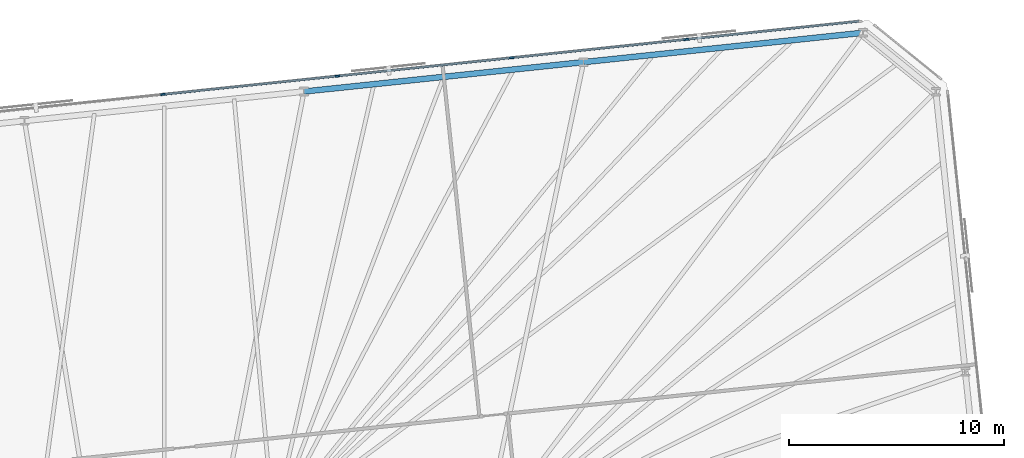
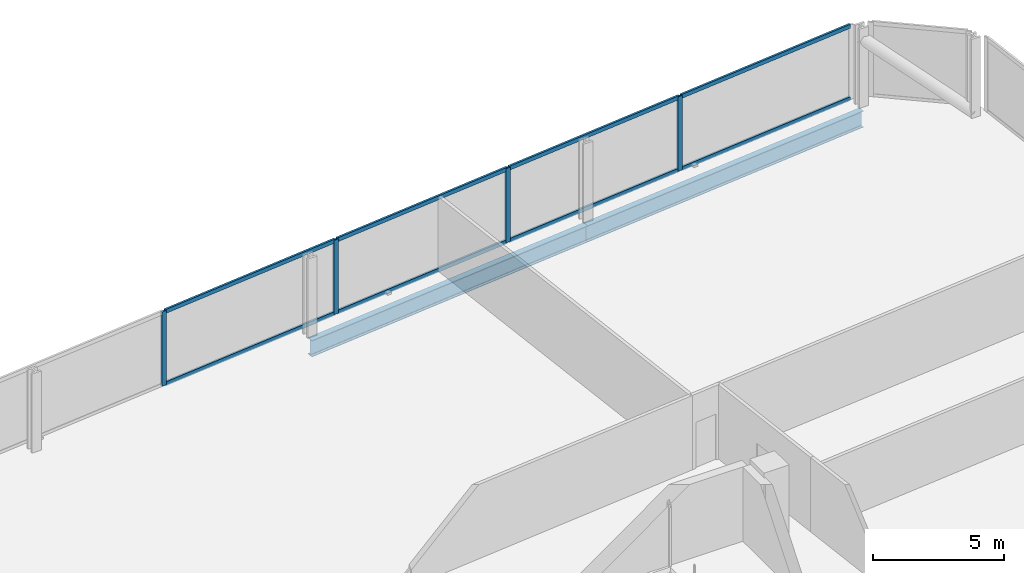
# One storey, part 11 of 18: 12 members, 2 beams, 1 element without a shape of its own.
"""IFC4 building model written with IfcOpenShell, lengths in metres."""

from ifc_helpers import new_model, si_unit, direction, frame, origin, origin_2d, place, context, subcontext, project, spatial, rectangle, i_section, extrude, material, material_profile, profile_set, type_object, element, aggregate, save


model = new_model("IFC4")

# Units and contexts
model_context = context("Model", 3, precision=1e-05, world=origin(), true_north=direction((0.0, 1.0)))
body_context = subcontext(model_context, "Body", "Model", "MODEL_VIEW")
ifc_project = project(units=[si_unit("LENGTHUNIT", "METRE"), si_unit("AREAUNIT", "SQUARE_METRE"), si_unit("VOLUMEUNIT", "CUBIC_METRE"), si_unit("PLANEANGLEUNIT", "RADIAN"), si_unit("MASSUNIT", "GRAM", prefix="KILO")], contexts=[model_context])

# Site, building, storey
site_placement = place(None, origin())
site = spatial("IfcSite", under=ifc_project, at=site_placement, CompositionType="ELEMENT")
building_placement = place(site_placement, origin())
building = spatial("IfcBuilding", under=site, at=building_placement, Name="Menara Jurai Vektor", CompositionType="ELEMENT")
storey_placement = place(building_placement, frame((0.0, 0.0, 91.10009765625)))
storey = spatial("IfcBuildingStorey", under=building, at=storey_placement, Name="L22", CompositionType="ELEMENT", Elevation=91.10009765625)

# Curtain wall, members
ifc_material_1 = material(Name="Anodised Pale Aluminium & Low-E Double Glazing", Category="aluminium")
curtain_wall_type = type_object("IfcCurtainWallType", Name="CW-BLK2", PredefinedType="NOTDEFINED", material=ifc_material_1)
curtain_wall_placement = place(storey_placement, origin())
curtain_wall = element("IfcCurtainWall", 1, at=curtain_wall_placement, inside=storey, type_object=curtain_wall_type, Name="Unitised Curtain Wall L22 F05", PredefinedType="NOTDEFINED")
ifc_material_2 = material(Name="Anodised Pale Aluminium Mullion", Category="aluminium")
ifc_material_profile_1 = material_profile(ifc_material_2, rectangle(XDim=0.090087890625, YDim=0.219970703125, at=origin_2d()), Name="ALU MUL 90x220")
ifc_profile_set_1 = profile_set([ifc_material_profile_1], Name="Anodised Pale Aluminium Mullion")
member_type_1 = type_object("IfcMemberType", Name="CW-BLK2-MUL", PredefinedType="MULLION", material=ifc_profile_set_1)
member_1_placement = place(storey_placement, frame((24.663330078125, 28.075927734375, 0.0), z_axis=(0.0, 0.0, 1.0), x_axis=(0.104528634935, -0.994521877325, 0.0)))
member_1 = element("IfcMember", 2, at=member_1_placement, type_object=member_type_1, Name="CW-02 mullion 2", PredefinedType="MULLION", context=body_context, shape_type="SweptSolid", body=[
    extrude(rectangle(XDim=0.090087890625, YDim=0.219970703125, at=origin_2d()), origin(), (0.0, 0.0, 1.0), 3.474853515625),
])
member_2_placement = place(storey_placement, frame((16.5654296875, 27.224853515625, 0.0), z_axis=(0.0, 0.0, 1.0), x_axis=(0.104528634935, -0.994521877325, 0.0)))
member_2 = element("IfcMember", 3, at=member_2_placement, type_object=member_type_1, Name="CW-02 mullion 3", PredefinedType="MULLION", context=body_context, shape_type="SweptSolid", body=[
    extrude(rectangle(XDim=0.090087890625, YDim=0.219970703125, at=origin_2d()), origin(), (0.0, 0.0, 1.0), 3.474853515625),
])
member_3_placement = place(storey_placement, frame((8.467529296875, 26.373779296875, 0.0), z_axis=(0.0, 0.0, 1.0), x_axis=(0.104528634935, -0.994521877325, 0.0)))
member_3 = element("IfcMember", 4, at=member_3_placement, type_object=member_type_1, Name="CW-02 mullion 4", PredefinedType="MULLION", context=body_context, shape_type="SweptSolid", body=[
    extrude(rectangle(XDim=0.090087890625, YDim=0.219970703125, at=origin_2d()), origin(), (0.0, 0.0, 1.0), 3.474853515625),
])
member_4_placement = place(storey_placement, frame((0.36962890625, 25.522705078125, 0.0), z_axis=(0.0, 0.0, 1.0), x_axis=(0.104528634935, -0.994521877325, 0.0)))
member_4 = element("IfcMember", 5, at=member_4_placement, type_object=member_type_1, Name="CW-02 mullion 5", PredefinedType="MULLION", context=body_context, shape_type="SweptSolid", body=[
    extrude(rectangle(XDim=0.090087890625, YDim=0.219970703125, at=origin_2d()), origin(), (0.0, 0.0, 1.0), 3.474853515625),
])
ifc_material_3 = material(Name="Anodised Pale Aluminium Transom", Category="aluminium")
ifc_material_profile_2 = material_profile(ifc_material_3, rectangle(XDim=0.090087890625, YDim=0.18505859375, at=origin_2d()), Name="ALU TRN 90x185")
ifc_profile_set_2 = profile_set([ifc_material_profile_2], Name="Anodised Pale Aluminium Transom")
member_type_2 = type_object("IfcMemberType", Name="CW-BLK2-TRN", PredefinedType="USERDEFINED", material=ifc_profile_set_2)
member_5_placement = place(storey_placement, frame((32.671875, 28.917724609375, 0.044921875), z_axis=(-0.994519977808, -0.104546706027, 0.0), x_axis=(0.104546706027, -0.994519977808, 0.0)))
member_5 = element("IfcMember", 6, at=member_5_placement, type_object=member_type_2, Name="CW-02 transom 1.1", ObjectType="TRANSOM", PredefinedType="USERDEFINED", context=body_context, shape_type="SweptSolid", body=[
    extrude(rectangle(XDim=0.090087890625, YDim=0.18505859375, at=origin_2d()), origin(), (0.0, 0.0, 1.0), 8.007568359375),
])
member_6_placement = place(storey_placement, frame((32.671875, 28.917724609375, 3.429931640625), z_axis=(-0.994519977808, -0.104546706027, 0.0), x_axis=(0.104546706027, -0.994519977808, 0.0)))
member_6 = element("IfcMember", 7, at=member_6_placement, type_object=member_type_2, Name="CW-02 transom 1.2", ObjectType="TRANSOM", PredefinedType="USERDEFINED", context=body_context, shape_type="SweptSolid", body=[
    extrude(rectangle(XDim=0.090087890625, YDim=0.18505859375, at=origin_2d()), origin(), (0.0, 0.0, 1.0), 8.007568359375),
])
member_7_placement = place(storey_placement, frame((24.61865234375, 28.0712890625, 0.044921875), z_axis=(-0.994520726373, -0.10453958492, 0.0), x_axis=(0.10453958492, -0.994520726373, 0.0)))
member_7 = element("IfcMember", 8, at=member_7_placement, type_object=member_type_2, Name="CW-02 transom 2.1", ObjectType="TRANSOM", PredefinedType="USERDEFINED", context=body_context, shape_type="SweptSolid", body=[
    extrude(rectangle(XDim=0.090087890625, YDim=0.18505859375, at=origin_2d()), origin(), (0.0, 0.0, 1.0), 8.052490234375),
])
member_8_placement = place(storey_placement, frame((24.61865234375, 28.0712890625, 3.429931640625), z_axis=(-0.994520726373, -0.10453958492, 0.0), x_axis=(0.10453958492, -0.994520726373, 0.0)))
member_8 = element("IfcMember", 9, at=member_8_placement, type_object=member_type_2, Name="CW-02 transom 2.2", ObjectType="TRANSOM", PredefinedType="USERDEFINED", context=body_context, shape_type="SweptSolid", body=[
    extrude(rectangle(XDim=0.090087890625, YDim=0.18505859375, at=origin_2d()), origin(), (0.0, 0.0, 1.0), 8.052490234375),
])
member_9_placement = place(storey_placement, frame((16.520751953125, 27.22021484375, 0.044921875), z_axis=(-0.994520726373, -0.10453958492, 0.0), x_axis=(0.10453958492, -0.994520726373, 0.0)))
member_9 = element("IfcMember", 10, at=member_9_placement, type_object=member_type_2, Name="CW-02 transom 3.1", ObjectType="TRANSOM", PredefinedType="USERDEFINED", context=body_context, shape_type="SweptSolid", body=[
    extrude(rectangle(XDim=0.090087890625, YDim=0.18505859375, at=origin_2d()), origin(), (0.0, 0.0, 1.0), 8.052490234375),
])
member_10_placement = place(storey_placement, frame((16.520751953125, 27.22021484375, 3.429931640625), z_axis=(-0.994520726373, -0.10453958492, 0.0), x_axis=(0.10453958492, -0.994520726373, 0.0)))
member_10 = element("IfcMember", 11, at=member_10_placement, type_object=member_type_2, Name="CW-02 transom 3.2", ObjectType="TRANSOM", PredefinedType="USERDEFINED", context=body_context, shape_type="SweptSolid", body=[
    extrude(rectangle(XDim=0.090087890625, YDim=0.18505859375, at=origin_2d()), origin(), (0.0, 0.0, 1.0), 8.052490234375),
])
member_11_placement = place(storey_placement, frame((8.4228515625, 26.369140625, 0.044921875), z_axis=(-0.994520726373, -0.10453958492, 0.0), x_axis=(0.10453958492, -0.994520726373, 0.0)))
member_11 = element("IfcMember", 12, at=member_11_placement, type_object=member_type_2, Name="CW-02 transom 4.1", ObjectType="TRANSOM", PredefinedType="USERDEFINED", context=body_context, shape_type="SweptSolid", body=[
    extrude(rectangle(XDim=0.090087890625, YDim=0.18505859375, at=origin_2d()), origin(), (0.0, 0.0, 1.0), 8.052490234375),
])
member_12_placement = place(storey_placement, frame((8.4228515625, 26.369140625, 3.429931640625), z_axis=(-0.994520726373, -0.10453958492, 0.0), x_axis=(0.10453958492, -0.994520726373, 0.0)))
member_12 = element("IfcMember", 13, at=member_12_placement, type_object=member_type_2, Name="CW-02 transom 4.2", ObjectType="TRANSOM", PredefinedType="USERDEFINED", context=body_context, shape_type="SweptSolid", body=[
    extrude(rectangle(XDim=0.090087890625, YDim=0.18505859375, at=origin_2d()), origin(), (0.0, 0.0, 1.0), 8.052490234375),
])
aggregate(curtain_wall, [member_1, member_2, member_3, member_4, member_5, member_6, member_7, member_8, member_9, member_10, member_11, member_12])

# Beams
ifc_material_4 = material(Name="Steel S460", Category="steel")
ifc_material_profile_3 = material_profile(ifc_material_4, i_section(OverallWidth=0.26806640625, OverallDepth=0.77001953125, WebThickness=0.01611328125, FlangeThickness=0.02490234375, FilletRadius=0.01708984375, at=origin_2d()), Name="UKB 762x267x197")
ifc_profile_set_3 = profile_set([ifc_material_profile_3], Name="Steel S460")
beam_type = type_object("IfcBeamType", Name="STR-SP-762", PredefinedType="SPANDREL", material=ifc_profile_set_3)
beam_1_placement = place(storey_placement, frame((32.876220703125, 28.38623046875, -0.610107421875), z_axis=(-0.994521431679, -0.104532874882, 0.0), x_axis=(0.104532874882, -0.994521431679, 0.0)))
element("IfcBeam", 14, at=beam_1_placement, inside=storey, type_object=beam_type, Name="Exoskeleton Spandrel Beam L22-11", PredefinedType="SPANDREL", context=body_context, shape_type="SweptSolid", body=[
    extrude(i_section(OverallWidth=0.26806640625, OverallDepth=0.77001953125, WebThickness=0.01611328125, FlangeThickness=0.02490234375, FilletRadius=0.01708984375, at=origin_2d()), origin(), (0.0, 0.0, 1.0), 13.051025390625),
])
beam_2_placement = place(storey_placement, frame((19.896728515625, 27.02197265625, -0.610107421875), z_axis=(-0.994521636083, -0.104530930169, 0.0), x_axis=(0.104530930169, -0.994521636083, 0.0)))
element("IfcBeam", 15, at=beam_2_placement, inside=storey, type_object=beam_type, Name="Exoskeleton Spandrel Beam L22-12", PredefinedType="SPANDREL", context=body_context, shape_type="SweptSolid", body=[
    extrude(i_section(OverallWidth=0.26806640625, OverallDepth=0.77001953125, WebThickness=0.01611328125, FlangeThickness=0.02490234375, FilletRadius=0.01708984375, at=origin_2d()), origin(), (0.0, 0.0, 1.0), 13.05126953125),
])

save(model, "model.ifc")
